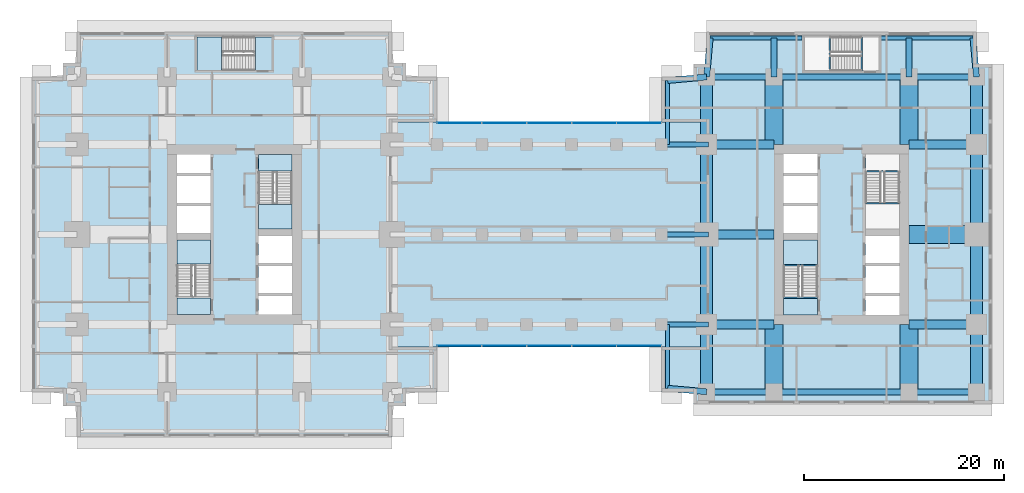
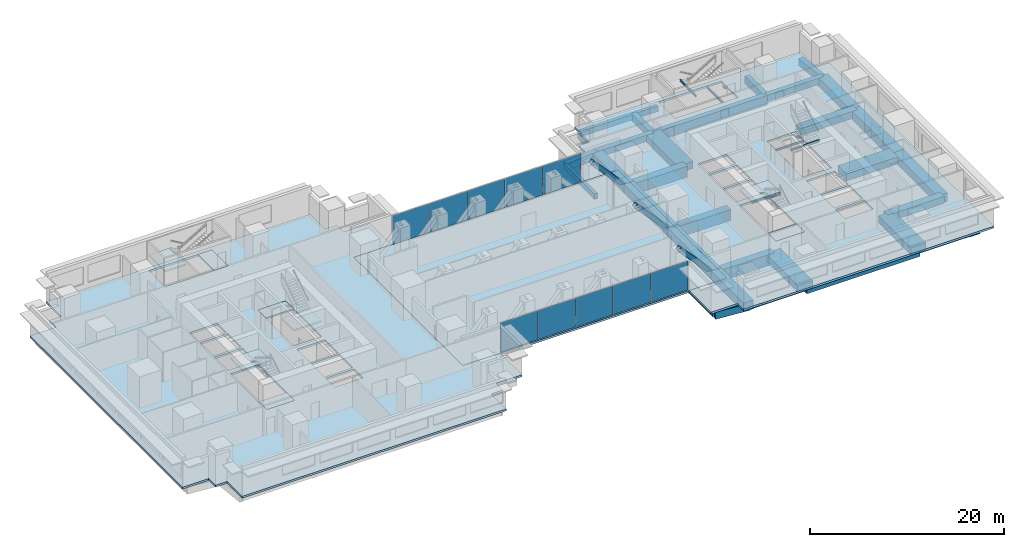
# One storey, part 5 of 15: 37 beams, 11 slabs, 10 plates, 6 members, 6 elements without a shape of their own.
"""IFC4 building model written with IfcOpenShell, lengths in metres."""

from ifc_helpers import new_model, si_unit, direction, frame, origin, origin_2d, place, context, subcontext, project, spatial, polyline, rectangle, hollow_rectangle, i_section, outline, extrude, material, layer, layer_set, material_profile, profile_set, type_object, element, aggregate, save


model = new_model("IFC4")

# Units and contexts
model_context = context("Model", 3, precision=1e-05, world=origin(), true_north=direction((0.0, 1.0)))
body_context = subcontext(model_context, "Body", "Model", "MODEL_VIEW")
ifc_project = project(units=[si_unit("LENGTHUNIT", "METRE"), si_unit("AREAUNIT", "SQUARE_METRE"), si_unit("VOLUMEUNIT", "CUBIC_METRE"), si_unit("PLANEANGLEUNIT", "RADIAN"), si_unit("MASSUNIT", "GRAM", prefix="KILO")], contexts=[model_context])

# Site, building, storey
site_placement = place(None, origin())
site = spatial("IfcSite", under=ifc_project, at=site_placement, CompositionType="ELEMENT")
building_placement = place(site_placement, origin())
building = spatial("IfcBuilding", under=site, at=building_placement, Name="Namib Vertical Campus", CompositionType="ELEMENT")
storey_placement = place(building_placement, frame((0.0, 0.0, 109.0)))
storey = spatial("IfcBuildingStorey", under=building, at=storey_placement, Name="L25", CompositionType="ELEMENT", Elevation=109.0)

# Members
ifc_material_1 = material(Name="Steel S355JR", Category="steel")
ifc_material_profile_1 = material_profile(ifc_material_1, hollow_rectangle(XDim=0.5, YDim=0.5, WallThickness=0.031982421875, at=origin_2d()))
ifc_profile_set_1 = profile_set([ifc_material_profile_1], Name="Steel S355JR")
member_type_1 = type_object("IfcMemberType", Name="Bridge end brace WB 500x500x32", PredefinedType="BRACE", material=ifc_profile_set_1)
for number, where, z_axis, x_axis, name in (
    (1, (67.5, 11.25, -0.949951171875), (-0.672676426978, 0.0, 0.739936770669), (0.0, -1.0, 0.0), "Bridge brace BX1 L25 T1 bay 7"),
    (2, (67.5, 20.25, -0.949951171875), (-0.672676426978, 0.0, 0.739936770669), (0.0, -1.0, 0.0), "Bridge brace BX1 L25 T2 bay 7"),
    (3, (67.5, 29.25, -0.949951171875), (-0.672676426978, 0.0, 0.739936770669), (0.0, -1.0, 0.0), "Bridge brace BX1 L25 T3 bay 7"),
):
    element("IfcMember", number, at=place(storey_placement, frame(where, z_axis=z_axis, x_axis=x_axis)), inside=storey, type_object=member_type_1, Name=name, PredefinedType="BRACE", context=body_context, shape_type="SweptSolid", body=[
        extrude(hollow_rectangle(XDim=0.5, YDim=0.5, WallThickness=0.031982421875, at=origin_2d()), origin(), (0.0, 0.0, 1.0), 6.689697265625),
    ])

# Beams
ifc_material_2 = material(Name="Concrete C40/50", Category="concrete")
ifc_material_profile_2 = material_profile(ifc_material_2, rectangle(XDim=0.60009765625, YDim=0.89990234375, at=origin_2d()))
ifc_profile_set_2 = profile_set([ifc_material_profile_2], Name="Concrete C40/50")
beam_type_1 = type_object("IfcBeamType", Name="Cantilever girder RC 600x900", PredefinedType="BEAM", material=ifc_profile_set_2)
beam_1_placement = place(storey_placement, frame((67.5, 36.0, -0.699951171875), z_axis=(0.089411326146, 0.995994786511, 0.0), x_axis=(-0.995994786511, 0.089411326146, 0.0)))
element("IfcBeam", 4, at=beam_1_placement, inside=storey, type_object=beam_type_1, Name="Beam B3 L25", PredefinedType="BEAM", context=body_context, shape_type="SweptSolid", body=[
    extrude(rectangle(XDim=0.60009765625, YDim=0.89990234375, at=origin_2d()), origin(), (0.0, 0.0, 1.0), 3.91552734375),
])
for number, where, z_axis, x_axis, name in (
    (5, (74.25, 36.0, -0.699951171875), (0.0, 1.0, 0.0), (-1.0, 0.0, 0.0), "Beam B3 L25"),
    (6, (87.75, 36.0, -0.699951171875), (0.0, 1.0, 0.0), (-1.0, 0.0, 0.0), "Beam B3 L25"),
):
    element("IfcBeam", number, at=place(storey_placement, frame(where, z_axis=z_axis, x_axis=x_axis)), inside=storey, type_object=beam_type_1, Name=name, PredefinedType="BEAM", context=body_context, shape_type="SweptSolid", body=[
        extrude(rectangle(XDim=0.60009765625, YDim=0.89990234375, at=origin_2d()), origin(), (0.0, 0.0, 1.0), 3.89990234375),
    ])
for number, where, z_axis, x_axis, name in (
    (7, (94.5, 36.0, -0.699951171875), (-0.089411326146, 0.995994786511, 0.0), (-0.995994786511, -0.089411326146, 0.0), "Beam B3 L25"),
    (8, (67.5, 4.5, -0.699951171875), (-0.995994786511, 0.089411326146, 0.0), (-0.089411326146, -0.995994786511, 0.0), "Beam B3 L25"),
    (9, (67.5, 36.0, -0.699951171875), (-0.995994786511, -0.089411326146, 0.0), (0.089411326146, -0.995994786511, 0.0), "Beam B3 L25"),
):
    element("IfcBeam", number, at=place(storey_placement, frame(where, z_axis=z_axis, x_axis=x_axis)), inside=storey, type_object=beam_type_1, Name=name, PredefinedType="BEAM", context=body_context, shape_type="SweptSolid", body=[
        extrude(rectangle(XDim=0.60009765625, YDim=0.89990234375, at=origin_2d()), origin(), (0.0, 0.0, 1.0), 3.91552734375),
    ])
ifc_material_3 = material(Name="Concrete C40/50", Category="concrete")
ifc_material_profile_3 = material_profile(ifc_material_3, rectangle(XDim=0.39990234375, YDim=0.699951171875, at=origin_2d()))
ifc_profile_set_3 = profile_set([ifc_material_profile_3], Name="Concrete C40/50")
beam_type_2 = type_object("IfcBeamType", Name="Edge beam RC 400x700", PredefinedType="SPANDREL", material=ifc_profile_set_3)
for number, where, z_axis, x_axis, name in (
    (10, (67.85009765625, 39.89990234375, -0.60009765625), (1.0, 0.0, 0.0), (0.0, 1.0, 0.0), "Beam B4 L25"),
    (11, (84.949951171875, 39.89990234375, -0.60009765625), (1.0, 0.0, 0.0), (0.0, 1.0, 0.0), "Beam B4 L25"),
):
    element("IfcBeam", number, at=place(storey_placement, frame(where, z_axis=z_axis, x_axis=x_axis)), inside=storey, type_object=beam_type_2, Name=name, PredefinedType="SPANDREL", context=body_context, shape_type="SweptSolid", body=[
        extrude(rectangle(XDim=0.39990234375, YDim=0.699951171875, at=origin_2d()), origin(), (0.0, 0.0, 1.0), 9.199951171875),
    ])
for number, where, z_axis, x_axis, name in (
    (12, (63.60009765625, 4.85009765625, -0.60009765625), (0.0, 1.0, 0.0), (-1.0, 0.0, 0.0), "Beam B4 L25"),
    (13, (63.60009765625, 29.25, -0.60009765625), (0.0, 1.0, 0.0), (-1.0, 0.0, 0.0), "Beam B4 L25"),
):
    element("IfcBeam", number, at=place(storey_placement, frame(where, z_axis=z_axis, x_axis=x_axis)), inside=storey, type_object=beam_type_2, Name=name, PredefinedType="SPANDREL", context=body_context, shape_type="SweptSolid", body=[
        extrude(rectangle(XDim=0.39990234375, YDim=0.699951171875, at=origin_2d()), origin(), (0.0, 0.0, 1.0), 6.39990234375),
    ])
ifc_material_4 = material(Name="Concrete C40/50", Category="concrete")
ifc_material_profile_4 = material_profile(ifc_material_4, rectangle(XDim=0.89990234375, YDim=0.89990234375, at=origin_2d()))
ifc_profile_set_4 = profile_set([ifc_material_profile_4], Name="Concrete C40/50")
beam_type_3 = type_object("IfcBeamType", Name="Face girder RC 900x900", PredefinedType="BEAM", material=ifc_profile_set_4)
for number, where, z_axis, x_axis, name in (
    (14, (94.5, 11.25, -0.699951171875), (-1.0, 0.0, 0.0), (0.0, -1.0, 0.0), "Beam B10 L25"),
    (15, (94.5, 29.25, -0.699951171875), (-1.0, 0.0, 0.0), (0.0, -1.0, 0.0), "Beam B10 L25"),
):
    element("IfcBeam", number, at=place(storey_placement, frame(where, z_axis=z_axis, x_axis=x_axis)), inside=storey, type_object=beam_type_3, Name=name, PredefinedType="BEAM", context=body_context, shape_type="SweptSolid", body=[
        extrude(rectangle(XDim=0.89990234375, YDim=0.89990234375, at=origin_2d()), origin(), (0.0, 0.0, 1.0), 6.75),
    ])
ifc_material_5 = material(Name="Concrete C40/50", Category="concrete")
ifc_material_profile_5 = material_profile(ifc_material_5, rectangle(XDim=1.199951171875, YDim=1.10009765625, at=origin_2d()))
ifc_profile_set_5 = profile_set([ifc_material_profile_5], Name="Concrete C40/50")
beam_type_4 = type_object("IfcBeamType", Name="Face ring beam RC 1200x1100", PredefinedType="BEAM", material=ifc_profile_set_5)
beam_2_placement = place(storey_placement, frame((67.5, 4.5, -0.800048828125), z_axis=(0.0, 1.0, 0.0), x_axis=(-1.0, 0.0, 0.0)))
element("IfcBeam", 16, at=beam_2_placement, inside=storey, type_object=beam_type_4, Name="Beam B11 L25", PredefinedType="BEAM", context=body_context, shape_type="SweptSolid", body=[
    extrude(rectangle(XDim=1.199951171875, YDim=1.10009765625, at=origin_2d()), origin(), (0.0, 0.0, 1.0), 6.75),
])
for number, where, z_axis, x_axis, name in (
    (17, (67.5, 11.25, -0.800048828125), (0.0, 1.0, 0.0), (-1.0, 0.0, 0.0), "Beam B11 L25"),
    (18, (67.5, 20.25, -0.800048828125), (0.0, 1.0, 0.0), (-1.0, 0.0, 0.0), "Beam B11 L25"),
):
    element("IfcBeam", number, at=place(storey_placement, frame(where, z_axis=z_axis, x_axis=x_axis)), inside=storey, type_object=beam_type_4, Name=name, PredefinedType="BEAM", context=body_context, shape_type="SweptSolid", body=[
        extrude(rectangle(XDim=1.199951171875, YDim=1.10009765625, at=origin_2d()), origin(), (0.0, 0.0, 1.0), 9.0),
    ])
for number, where, z_axis, x_axis, name in (
    (19, (67.5, 29.25, -0.800048828125), (0.0, 1.0, 0.0), (-1.0, 0.0, 0.0), "Beam B11 L25"),
    (20, (94.5, 4.5, -0.800048828125), (0.0, 1.0, 0.0), (-1.0, 0.0, 0.0), "Beam B11 L25"),
):
    element("IfcBeam", number, at=place(storey_placement, frame(where, z_axis=z_axis, x_axis=x_axis)), inside=storey, type_object=beam_type_4, Name=name, PredefinedType="BEAM", context=body_context, shape_type="SweptSolid", body=[
        extrude(rectangle(XDim=1.199951171875, YDim=1.10009765625, at=origin_2d()), origin(), (0.0, 0.0, 1.0), 6.75),
    ])
for number, where, z_axis, x_axis, name in (
    (21, (94.5, 11.25, -0.800048828125), (0.0, 1.0, 0.0), (-1.0, 0.0, 0.0), "Beam B11 L25"),
    (22, (94.5, 20.25, -0.800048828125), (0.0, 1.0, 0.0), (-1.0, 0.0, 0.0), "Beam B11 L25"),
):
    element("IfcBeam", number, at=place(storey_placement, frame(where, z_axis=z_axis, x_axis=x_axis)), inside=storey, type_object=beam_type_4, Name=name, PredefinedType="BEAM", context=body_context, shape_type="SweptSolid", body=[
        extrude(rectangle(XDim=1.199951171875, YDim=1.10009765625, at=origin_2d()), origin(), (0.0, 0.0, 1.0), 9.0),
    ])
beam_3_placement = place(storey_placement, frame((94.5, 29.25, -0.800048828125), z_axis=(0.0, 1.0, 0.0), x_axis=(-1.0, 0.0, 0.0)))
element("IfcBeam", 23, at=beam_3_placement, inside=storey, type_object=beam_type_4, Name="Beam B11 L25", PredefinedType="BEAM", context=body_context, shape_type="SweptSolid", body=[
    extrude(rectangle(XDim=1.199951171875, YDim=1.10009765625, at=origin_2d()), origin(), (0.0, 0.0, 1.0), 6.75),
])
ifc_material_6 = material(Name="Steel S355JR", Category="steel")
ifc_material_profile_6 = material_profile(ifc_material_6, i_section(OverallWidth=0.14599609375, OverallDepth=0.25146484375, WebThickness=0.006103515625, FlangeThickness=0.008544921875, FilletRadius=0.007568359375, at=origin_2d()))
ifc_profile_set_6 = profile_set([ifc_material_profile_6], Name="Steel S355JR")
beam_type_5 = type_object("IfcBeamType", Name="Landing trimmer UB 254x146x31", PredefinedType="BEAM", material=ifc_profile_set_6)
for number, where, z_axis, x_axis, name in (
    (24, (75.199951171875, 13.927001953125, -0.125732421875), (1.0, 0.0, 0.0), (0.0, 1.0, 0.0), "Landing trimmer LT1 B-S1 L25 1"),
    (25, (75.199951171875, 17.153076171875, 1.874267578125), (1.0, 0.0, 0.0), (0.0, 1.0, 0.0), "Landing trimmer LT1 B-S1 L25 2"),
    (26, (83.39990234375, 26.572998046875, -0.125732421875), (1.0, 0.0, 0.0), (0.0, 1.0, 0.0), "Landing trimmer LT1 B-S2 L25 1"),
    (27, (83.39990234375, 23.346923828125, 1.874267578125), (1.0, 0.0, 0.0), (0.0, 1.0, 0.0), "Landing trimmer LT1 B-S2 L25 2"),
):
    element("IfcBeam", number, at=place(storey_placement, frame(where, z_axis=z_axis, x_axis=x_axis)), inside=storey, type_object=beam_type_5, Name=name, PredefinedType="BEAM", context=body_context, shape_type="SweptSolid", body=[
        extrude(i_section(OverallWidth=0.14599609375, OverallDepth=0.25146484375, WebThickness=0.006103515625, FlangeThickness=0.008544921875, FilletRadius=0.007568359375, at=origin_2d()), origin(), (0.0, 0.0, 1.0), 3.400146484375),
    ])
for number, where, z_axis, x_axis, name in (
    (28, (83.02294921875, 36.60009765625, -0.125732421875), (0.0, 1.0, 0.0), (-1.0, 0.0, 0.0), "Landing trimmer LT1 B-S3 L25 1"),
    (29, (79.796875, 36.60009765625, 1.874267578125), (0.0, 1.0, 0.0), (-1.0, 0.0, 0.0), "Landing trimmer LT1 B-S3 L25 2"),
):
    element("IfcBeam", number, at=place(storey_placement, frame(where, z_axis=z_axis, x_axis=x_axis)), inside=storey, type_object=beam_type_5, Name=name, PredefinedType="BEAM", context=body_context, shape_type="SweptSolid", body=[
        extrude(i_section(OverallWidth=0.14599609375, OverallDepth=0.25146484375, WebThickness=0.006103515625, FlangeThickness=0.008544921875, FilletRadius=0.007568359375, at=origin_2d()), origin(), (0.0, 0.0, 1.0), 3.39990234375),
    ])
ifc_material_7 = material(Name="Concrete C40/50", Category="concrete")
ifc_material_profile_7 = material_profile(ifc_material_7, rectangle(XDim=0.60009765625, YDim=1.199951171875, at=origin_2d()))
ifc_profile_set_7 = profile_set([ifc_material_profile_7], Name="Concrete C40/50")
beam_type_6 = type_object("IfcBeamType", Name="Long-span ring beam RC 600x1200", PredefinedType="BEAM", material=ifc_profile_set_7)
for number, where, z_axis, x_axis, name in (
    (30, (74.25, 4.5, -0.85009765625), (1.0, 0.0, 0.0), (0.0, 1.0, 0.0), "Beam B9 L25"),
    (31, (74.25, 36.0, -0.85009765625), (1.0, 0.0, 0.0), (0.0, 1.0, 0.0), "Beam B9 L25"),
):
    element("IfcBeam", number, at=place(storey_placement, frame(where, z_axis=z_axis, x_axis=x_axis)), inside=storey, type_object=beam_type_6, Name=name, PredefinedType="BEAM", context=body_context, shape_type="SweptSolid", body=[
        extrude(rectangle(XDim=0.60009765625, YDim=1.199951171875, at=origin_2d()), origin(), (0.0, 0.0, 1.0), 13.5),
    ])
ifc_material_8 = material(Name="Concrete C40/50", Category="concrete")
ifc_material_profile_8 = material_profile(ifc_material_8, rectangle(XDim=1.800048828125, YDim=0.89990234375, at=origin_2d()))
ifc_profile_set_8 = profile_set([ifc_material_profile_8], Name="Concrete C40/50")
beam_type_7 = type_object("IfcBeamType", Name="Outrigger line girder RC 1800x900", PredefinedType="BEAM", material=ifc_profile_set_8)
for number, where, z_axis, x_axis, name in (
    (32, (74.25, 4.5, -0.699951171875), (0.0, 1.0, 0.0), (-1.0, 0.0, 0.0), "Beam B12 L25"),
    (33, (74.25, 36.0, -0.699951171875), (0.0, -1.0, 0.0), (1.0, 0.0, 0.0), "Beam B12 L25"),
    (34, (87.75, 4.5, -0.699951171875), (0.0, 1.0, 0.0), (-1.0, 0.0, 0.0), "Beam B12 L25"),
    (35, (87.75, 36.0, -0.699951171875), (0.0, -1.0, 0.0), (1.0, 0.0, 0.0), "Beam B12 L25"),
    (36, (94.5, 20.25, -0.699951171875), (-1.0, 0.0, 0.0), (0.0, -1.0, 0.0), "Beam B12 L25"),
):
    element("IfcBeam", number, at=place(storey_placement, frame(where, z_axis=z_axis, x_axis=x_axis)), inside=storey, type_object=beam_type_7, Name=name, PredefinedType="BEAM", context=body_context, shape_type="SweptSolid", body=[
        extrude(rectangle(XDim=1.800048828125, YDim=0.89990234375, at=origin_2d()), origin(), (0.0, 0.0, 1.0), 6.75),
    ])
ifc_material_9 = material(Name="Concrete C40/50", Category="concrete")
ifc_material_profile_9 = material_profile(ifc_material_9, rectangle(XDim=0.60009765625, YDim=0.800048828125, at=origin_2d()))
ifc_profile_set_9 = profile_set([ifc_material_profile_9], Name="Concrete C40/50")
beam_type_8 = type_object("IfcBeamType", Name="Ring beam RC 600x800", PredefinedType="BEAM", material=ifc_profile_set_9)
for number, where, z_axis, x_axis, name in (
    (37, (67.5, 4.5, -0.64990234375), (1.0, 0.0, 0.0), (0.0, 1.0, 0.0), "Beam B1 L25"),
    (38, (87.75, 4.5, -0.64990234375), (1.0, 0.0, 0.0), (0.0, 1.0, 0.0), "Beam B1 L25"),
    (39, (67.5, 36.0, -0.64990234375), (1.0, 0.0, 0.0), (0.0, 1.0, 0.0), "Beam B1 L25"),
    (40, (87.75, 36.0, -0.64990234375), (1.0, 0.0, 0.0), (0.0, 1.0, 0.0), "Beam B1 L25"),
):
    element("IfcBeam", number, at=place(storey_placement, frame(where, z_axis=z_axis, x_axis=x_axis)), inside=storey, type_object=beam_type_8, Name=name, PredefinedType="BEAM", context=body_context, shape_type="SweptSolid", body=[
        extrude(rectangle(XDim=0.60009765625, YDim=0.800048828125, at=origin_2d()), origin(), (0.0, 0.0, 1.0), 6.75),
    ])

# Members
ifc_material_10 = material(Name="Steel S355JR", Category="steel")
ifc_material_profile_10 = material_profile(ifc_material_10, hollow_rectangle(XDim=0.89990234375, YDim=1.39990234375, WallThickness=0.070068359375, at=origin_2d()))
ifc_profile_set_10 = profile_set([ifc_material_profile_10], Name="Steel S355JR")
member_type_2 = type_object("IfcMemberType", Name="Truss chord WB 1400x900x70", PredefinedType="CHORD", material=ifc_profile_set_10)
for number, where, z_axis, x_axis, name in (
    (41, (67.5, 11.25, -0.949951171875), (1.0, 0.0, 0.0), (0.0, 1.0, 0.0), "Transfer truss T1 anchor chord B top"),
    (42, (67.5, 20.25, -0.949951171875), (1.0, 0.0, 0.0), (0.0, 1.0, 0.0), "Transfer truss T2 anchor chord B top"),
    (43, (67.5, 29.25, -0.949951171875), (1.0, 0.0, 0.0), (0.0, 1.0, 0.0), "Transfer truss T3 anchor chord B top"),
):
    element("IfcMember", number, at=place(storey_placement, frame(where, z_axis=z_axis, x_axis=x_axis)), inside=storey, type_object=member_type_2, Name=name, PredefinedType="CHORD", context=body_context, shape_type="SweptSolid", body=[
        extrude(hollow_rectangle(XDim=0.89990234375, YDim=1.39990234375, WallThickness=0.070068359375, at=origin_2d()), origin(), (0.0, 0.0, 1.0), 6.75),
    ])

# Curtain wall, plates
ifc_material_11 = material(Name="Black aluminium curtain wall", Category="aluminium")
ifc_layer_1 = layer(ifc_material_11, 0.199951171875)
ifc_layer_set_1 = layer_set([ifc_layer_1], Name="Bridge curtain wall CW-BR")
curtain_wall_type = type_object("IfcCurtainWallType", Name="Bridge curtain wall CW-BR", PredefinedType="USERDEFINED", material=ifc_layer_set_1)
curtain_wall_1_placement = place(storey_placement, origin())
curtain_wall_1 = element("IfcCurtainWall", 44, at=curtain_wall_1_placement, inside=storey, type_object=curtain_wall_type, Name="Curtain wall CW-BR L25 S", ObjectType="CURTAIN WALL", PredefinedType="USERDEFINED")
ifc_material_12 = material(Name="Dark tinted glass", Category="glass")
ifc_layer_2 = layer(ifc_material_12, 0.028076171875)
ifc_layer_set_2 = layer_set([ifc_layer_2], Name="Dark solar glass panel 28")
plate_type = type_object("IfcPlateType", Name="Dark solar glass panel 28", PredefinedType="CURTAIN_PANEL", material=ifc_layer_set_2)
plate_1_placement = place(storey_placement, frame((42.764892578125, 9.10009765625, 0.06005859375), z_axis=(0.0, 0.0, 1.0), x_axis=(1.0, 0.0, 0.0)))
plate_1 = element("IfcPlate", 45, at=plate_1_placement, type_object=plate_type, Name="CW-BR panel 1.1", PredefinedType="CURTAIN_PANEL", context=body_context, shape_type="SweptSolid", body=[
    extrude(rectangle(XDim=4.409912109375, YDim=0.028076171875, at=origin_2d()), origin(), (0.0, 0.0, 1.0), 3.6298828125),
])
plate_2_placement = place(storey_placement, frame((47.25, 9.10009765625, 0.06005859375), z_axis=(0.0, 0.0, 1.0), x_axis=(1.0, 0.0, 0.0)))
plate_2 = element("IfcPlate", 46, at=plate_2_placement, type_object=plate_type, Name="CW-BR panel 2.1", PredefinedType="CURTAIN_PANEL", context=body_context, shape_type="SweptSolid", body=[
    extrude(rectangle(XDim=4.43994140625, YDim=0.028076171875, at=origin_2d()), origin(), (0.0, 0.0, 1.0), 3.6298828125),
])
plate_3_placement = place(storey_placement, frame((51.75, 9.10009765625, 0.06005859375), z_axis=(0.0, 0.0, 1.0), x_axis=(1.0, 0.0, 0.0)))
plate_3 = element("IfcPlate", 47, at=plate_3_placement, type_object=plate_type, Name="CW-BR panel 3.1", PredefinedType="CURTAIN_PANEL", context=body_context, shape_type="SweptSolid", body=[
    extrude(rectangle(XDim=4.43994140625, YDim=0.028076171875, at=origin_2d()), origin(), (0.0, 0.0, 1.0), 3.6298828125),
])
plate_4_placement = place(storey_placement, frame((56.25, 9.10009765625, 0.06005859375), z_axis=(0.0, 0.0, 1.0), x_axis=(1.0, 0.0, 0.0)))
plate_4 = element("IfcPlate", 48, at=plate_4_placement, type_object=plate_type, Name="CW-BR panel 4.1", PredefinedType="CURTAIN_PANEL", context=body_context, shape_type="SweptSolid", body=[
    extrude(rectangle(XDim=4.43994140625, YDim=0.028076171875, at=origin_2d()), origin(), (0.0, 0.0, 1.0), 3.6298828125),
])
plate_5_placement = place(storey_placement, frame((60.735107421875, 9.10009765625, 0.06005859375), z_axis=(0.0, 0.0, 1.0), x_axis=(1.0, 0.0, 0.0)))
plate_5 = element("IfcPlate", 49, at=plate_5_placement, type_object=plate_type, Name="CW-BR panel 5.1", PredefinedType="CURTAIN_PANEL", context=body_context, shape_type="SweptSolid", body=[
    extrude(rectangle(XDim=4.409912109375, YDim=0.028076171875, at=origin_2d()), origin(), (0.0, 0.0, 1.0), 3.6298828125),
])
aggregate(curtain_wall_1, [plate_1, plate_2, plate_3, plate_4, plate_5])

curtain_wall_2_placement = place(storey_placement, origin())
curtain_wall_2 = element("IfcCurtainWall", 50, at=curtain_wall_2_placement, inside=storey, type_object=curtain_wall_type, Name="Curtain wall CW-BR L25 N", ObjectType="CURTAIN WALL", PredefinedType="USERDEFINED")
plate_6_placement = place(storey_placement, frame((60.735107421875, 31.39990234375, 0.06005859375), z_axis=(0.0, 0.0, 1.0), x_axis=(-1.0, 0.0, 0.0)))
plate_6 = element("IfcPlate", 51, at=plate_6_placement, type_object=plate_type, Name="CW-BR panel 1.1", PredefinedType="CURTAIN_PANEL", context=body_context, shape_type="SweptSolid", body=[
    extrude(rectangle(XDim=4.409912109375, YDim=0.028076171875, at=origin_2d()), origin(), (0.0, 0.0, 1.0), 3.6298828125),
])
plate_7_placement = place(storey_placement, frame((56.25, 31.39990234375, 0.06005859375), z_axis=(0.0, 0.0, 1.0), x_axis=(-1.0, 0.0, 0.0)))
plate_7 = element("IfcPlate", 52, at=plate_7_placement, type_object=plate_type, Name="CW-BR panel 2.1", PredefinedType="CURTAIN_PANEL", context=body_context, shape_type="SweptSolid", body=[
    extrude(rectangle(XDim=4.43994140625, YDim=0.028076171875, at=origin_2d()), origin(), (0.0, 0.0, 1.0), 3.6298828125),
])
plate_8_placement = place(storey_placement, frame((51.75, 31.39990234375, 0.06005859375), z_axis=(0.0, 0.0, 1.0), x_axis=(-1.0, 0.0, 0.0)))
plate_8 = element("IfcPlate", 53, at=plate_8_placement, type_object=plate_type, Name="CW-BR panel 3.1", PredefinedType="CURTAIN_PANEL", context=body_context, shape_type="SweptSolid", body=[
    extrude(rectangle(XDim=4.43994140625, YDim=0.028076171875, at=origin_2d()), origin(), (0.0, 0.0, 1.0), 3.6298828125),
])
plate_9_placement = place(storey_placement, frame((47.25, 31.39990234375, 0.06005859375), z_axis=(0.0, 0.0, 1.0), x_axis=(-1.0, 0.0, 0.0)))
plate_9 = element("IfcPlate", 54, at=plate_9_placement, type_object=plate_type, Name="CW-BR panel 4.1", PredefinedType="CURTAIN_PANEL", context=body_context, shape_type="SweptSolid", body=[
    extrude(rectangle(XDim=4.43994140625, YDim=0.028076171875, at=origin_2d()), origin(), (0.0, 0.0, 1.0), 3.6298828125),
])
plate_10_placement = place(storey_placement, frame((42.764892578125, 31.39990234375, 0.06005859375), z_axis=(0.0, 0.0, 1.0), x_axis=(-1.0, 0.0, 0.0)))
plate_10 = element("IfcPlate", 55, at=plate_10_placement, type_object=plate_type, Name="CW-BR panel 5.1", PredefinedType="CURTAIN_PANEL", context=body_context, shape_type="SweptSolid", body=[
    extrude(rectangle(XDim=4.409912109375, YDim=0.028076171875, at=origin_2d()), origin(), (0.0, 0.0, 1.0), 3.6298828125),
])
aggregate(curtain_wall_2, [plate_6, plate_7, plate_8, plate_9, plate_10])

# Slabs
ifc_material_13 = material(Name="Concrete C40/50", Category="concrete")
ifc_layer_3 = layer(ifc_material_13, 0.25)
ifc_layer_set_3 = layer_set([ifc_layer_3], Name="Concrete C40/50")
slab_type_1 = type_object("IfcSlabType", Name="Floor slab 250", PredefinedType="FLOOR", material=ifc_layer_set_3)
slab_1_placement = place(storey_placement, frame((0.0, 0.0, -0.25)))
element("IfcSlab", 56, at=slab_1_placement, inside=storey, type_object=slab_type_1, Name="Floor slab A L25", PredefinedType="FLOOR", context=body_context, shape_type="SweptSolid", body=[
    extrude(outline(polyline([(4.5, 3.10009765625), (4.5, 0.0), (36.0, 0.0), (36.0, 3.10009765625), (37.39990234375, 3.10009765625), (37.39990234375, 4.5), (40.5, 4.5), (40.5, 9.0), (36.0, 9.0), (36.0, 31.5), (40.5, 31.5), (40.5, 36.0), (37.39990234375, 36.0), (37.39990234375, 37.39990234375), (36.0, 37.39990234375), (36.0, 40.5), (4.5, 40.5), (4.5, 37.39990234375), (3.10009765625, 37.39990234375), (3.10009765625, 36.0), (0.0, 36.0), (0.0, 4.5), (3.10009765625, 4.5), (3.10009765625, 3.10009765625), (4.5, 3.10009765625)]), holes=[polyline([(14.5, 12.25), (17.85009765625, 12.25), (17.85009765625, 19.699951171875), (14.5, 19.699951171875), (14.5, 12.25)]), polyline([(22.64990234375, 20.800048828125), (26.0, 20.800048828125), (26.0, 28.25), (22.64990234375, 28.25), (22.64990234375, 20.800048828125)]), polyline([(22.64990234375, 12.25), (26.0, 12.25), (26.0, 14.10009765625), (22.64990234375, 14.10009765625), (22.64990234375, 12.25)]), polyline([(14.5, 20.39990234375), (17.85009765625, 20.39990234375), (17.85009765625, 23.10009765625), (14.5, 23.10009765625), (14.5, 20.39990234375)]), polyline([(14.5, 23.39990234375), (17.85009765625, 23.39990234375), (17.85009765625, 26.10009765625), (14.5, 26.10009765625), (14.5, 23.39990234375)]), polyline([(14.5, 26.39990234375), (17.85009765625, 26.39990234375), (17.85009765625, 28.25), (14.5, 28.25), (14.5, 26.39990234375)]), polyline([(22.64990234375, 14.39990234375), (26.0, 14.39990234375), (26.0, 17.10009765625), (22.64990234375, 17.10009765625), (22.64990234375, 14.39990234375)]), polyline([(22.64990234375, 17.39990234375), (26.0, 17.39990234375), (26.0, 20.10009765625), (22.64990234375, 20.10009765625), (22.64990234375, 17.39990234375)]), polyline([(16.5, 36.64990234375), (24.0, 36.64990234375), (24.0, 40.0), (16.5, 40.0), (16.5, 36.64990234375)])]), origin(), (0.0, 0.0, 1.0), 0.25),
])
slab_2_placement = place(storey_placement, frame((0.0, 0.0, -0.25)))
element("IfcSlab", 57, at=slab_2_placement, inside=storey, type_object=slab_type_1, Name="Floor slab B L25", PredefinedType="FLOOR", context=body_context, shape_type="SweptSolid", body=[
    extrude(outline(polyline([(63.0, 9.0), (63.0, 4.5), (66.199951171875, 4.5), (66.199951171875, 3.300048828125), (96.050048828125, 3.300048828125), (96.050048828125, 37.300048828125), (94.5, 37.300048828125), (94.5, 40.5), (67.5, 40.5), (67.5, 37.300048828125), (66.199951171875, 37.300048828125), (66.199951171875, 36.0), (63.0, 36.0), (63.0, 31.5), (67.5, 31.5), (67.5, 9.0), (63.0, 9.0)]), holes=[polyline([(75.199951171875, 12.199951171875), (78.60009765625, 12.199951171875), (78.60009765625, 19.699951171875), (75.199951171875, 19.699951171875), (75.199951171875, 12.199951171875)]), polyline([(83.39990234375, 20.800048828125), (86.800048828125, 20.800048828125), (86.800048828125, 28.300048828125), (83.39990234375, 28.300048828125), (83.39990234375, 20.800048828125)]), polyline([(83.39990234375, 12.199951171875), (86.800048828125, 12.199951171875), (86.800048828125, 14.10009765625), (83.39990234375, 14.10009765625), (83.39990234375, 12.199951171875)]), polyline([(75.199951171875, 20.39990234375), (78.60009765625, 20.39990234375), (78.60009765625, 23.10009765625), (75.199951171875, 23.10009765625), (75.199951171875, 20.39990234375)]), polyline([(75.199951171875, 23.39990234375), (78.60009765625, 23.39990234375), (78.60009765625, 26.10009765625), (75.199951171875, 26.10009765625), (75.199951171875, 23.39990234375)]), polyline([(75.199951171875, 26.39990234375), (78.60009765625, 26.39990234375), (78.60009765625, 28.300048828125), (75.199951171875, 28.300048828125), (75.199951171875, 26.39990234375)]), polyline([(83.39990234375, 14.39990234375), (86.800048828125, 14.39990234375), (86.800048828125, 17.10009765625), (83.39990234375, 17.10009765625), (83.39990234375, 14.39990234375)]), polyline([(83.39990234375, 17.39990234375), (86.800048828125, 17.39990234375), (86.800048828125, 20.10009765625), (83.39990234375, 20.10009765625), (83.39990234375, 17.39990234375)]), polyline([(77.25, 36.60009765625), (84.75, 36.60009765625), (84.75, 40.0), (77.25, 40.0), (77.25, 36.60009765625)])]), origin(), (0.0, 0.0, 1.0), 0.25),
])
slab_3_placement = place(storey_placement, frame((0.0, 0.0, -0.25)))
element("IfcSlab", 58, at=slab_3_placement, inside=storey, type_object=slab_type_1, Name="Bridge floor L25", PredefinedType="FLOOR", context=body_context, shape_type="SweptSolid", body=[
    extrude(outline(polyline([(36.0, 9.0), (67.5, 9.0), (67.5, 31.5), (36.0, 31.5), (36.0, 9.0)])), origin(), (0.0, 0.0, 1.0), 0.25),
])

# Stair, slabs
ifc_material_14 = material(Name="Concrete C40/50 precast", Category="concrete")
stair_type_1 = type_object("IfcStairType", Name="Exit stair 4000 rise 24 risers 3350 wide", PredefinedType="HALF_TURN_STAIR", material=ifc_material_14)
stair_1_placement = place(storey_placement, origin())
stair_1 = element("IfcStair", 59, at=stair_1_placement, inside=storey, type_object=stair_type_1, Name="Exit stair A-S1 L25", PredefinedType="HALF_TURN_STAIR")
ifc_material_15 = material(Name="Concrete C40/50", Category="concrete")
ifc_layer_4 = layer(ifc_material_15, 0.199951171875)
ifc_layer_set_4 = layer_set([ifc_layer_4], Name="Concrete C40/50")
slab_type_2 = type_object("IfcSlabType", Name="Stair landing 200", PredefinedType="LANDING", material=ifc_layer_set_4)
slab_4_placement = place(storey_placement, frame((0.0, 0.0, -0.199951171875)))
slab_4 = element("IfcSlab", 60, at=slab_4_placement, type_object=slab_type_2, Name="A-S1 landing 1", PredefinedType="LANDING", context=body_context, shape_type="SweptSolid", body=[
    extrude(outline(polyline([(14.5, 12.25), (17.85009765625, 12.25), (17.85009765625, 13.90380859375), (14.5, 13.90380859375), (14.5, 12.25)])), origin(), (0.0, 0.0, 1.0), 0.199951171875),
])
slab_5_placement = place(storey_placement, frame((0.0, 0.0, 1.800048828125)))
slab_5 = element("IfcSlab", 61, at=slab_5_placement, type_object=slab_type_2, Name="A-S1 landing 2", PredefinedType="LANDING", context=body_context, shape_type="SweptSolid", body=[
    extrude(outline(polyline([(14.5, 17.276123046875), (17.85009765625, 17.276123046875), (17.85009765625, 19.699951171875), (14.5, 19.699951171875), (14.5, 17.276123046875)])), origin(), (0.0, 0.0, 1.0), 0.199951171875),
])
aggregate(stair_1, [slab_4, slab_5])

stair_2_placement = place(storey_placement, origin())
stair_2 = element("IfcStair", 62, at=stair_2_placement, inside=storey, type_object=stair_type_1, Name="Exit stair A-S2 L25", PredefinedType="HALF_TURN_STAIR")
slab_6_placement = place(storey_placement, frame((0.0, 0.0, -0.199951171875)))
slab_6 = element("IfcSlab", 63, at=slab_6_placement, type_object=slab_type_2, Name="A-S2 landing 1", PredefinedType="LANDING", context=body_context, shape_type="SweptSolid", body=[
    extrude(outline(polyline([(22.64990234375, 26.59619140625), (26.0, 26.59619140625), (26.0, 28.25), (22.64990234375, 28.25), (22.64990234375, 26.59619140625)])), origin(), (0.0, 0.0, 1.0), 0.199951171875),
])
slab_7_placement = place(storey_placement, frame((0.0, 0.0, 1.800048828125)))
slab_7 = element("IfcSlab", 64, at=slab_7_placement, type_object=slab_type_2, Name="A-S2 landing 2", PredefinedType="LANDING", context=body_context, shape_type="SweptSolid", body=[
    extrude(outline(polyline([(22.64990234375, 20.800048828125), (26.0, 20.800048828125), (26.0, 23.223876953125), (22.64990234375, 23.223876953125), (22.64990234375, 20.800048828125)])), origin(), (0.0, 0.0, 1.0), 0.199951171875),
])
aggregate(stair_2, [slab_6, slab_7])

ifc_material_16 = material(Name="Concrete C40/50 precast", Category="concrete")
stair_type_2 = type_object("IfcStairType", Name="Exit stair 4000 rise 24 risers 3400 wide", PredefinedType="HALF_TURN_STAIR", material=ifc_material_16)
stair_3_placement = place(storey_placement, origin())
stair_3 = element("IfcStair", 65, at=stair_3_placement, inside=storey, type_object=stair_type_2, Name="Exit stair B-S1 L25", PredefinedType="HALF_TURN_STAIR")
slab_8_placement = place(storey_placement, frame((0.0, 0.0, -0.199951171875)))
slab_8 = element("IfcSlab", 66, at=slab_8_placement, type_object=slab_type_2, Name="B-S1 landing 1", PredefinedType="LANDING", context=body_context, shape_type="SweptSolid", body=[
    extrude(outline(polyline([(75.199951171875, 12.199951171875), (78.60009765625, 12.199951171875), (78.60009765625, 13.85400390625), (75.199951171875, 13.85400390625), (75.199951171875, 12.199951171875)])), origin(), (0.0, 0.0, 1.0), 0.199951171875),
])
slab_9_placement = place(storey_placement, frame((0.0, 0.0, 1.800048828125)))
slab_9 = element("IfcSlab", 67, at=slab_9_placement, type_object=slab_type_2, Name="B-S1 landing 2", PredefinedType="LANDING", context=body_context, shape_type="SweptSolid", body=[
    extrude(outline(polyline([(75.199951171875, 17.22607421875), (78.60009765625, 17.22607421875), (78.60009765625, 19.699951171875), (75.199951171875, 19.699951171875), (75.199951171875, 17.22607421875)])), origin(), (0.0, 0.0, 1.0), 0.199951171875),
])
aggregate(stair_3, [slab_8, slab_9])

stair_4_placement = place(storey_placement, origin())
stair_4 = element("IfcStair", 68, at=stair_4_placement, inside=storey, type_object=stair_type_1, Name="Exit stair A-S3 L25", PredefinedType="HALF_TURN_STAIR")
slab_10_placement = place(storey_placement, frame((0.0, 0.0, -0.199951171875)))
slab_10 = element("IfcSlab", 69, at=slab_10_placement, type_object=slab_type_2, Name="A-S3 landing 1", PredefinedType="LANDING", context=body_context, shape_type="SweptSolid", body=[
    extrude(outline(polyline([(22.34619140625, 36.64990234375), (22.34619140625, 40.0), (24.0, 40.0), (24.0, 36.64990234375), (22.34619140625, 36.64990234375)])), origin(), (0.0, 0.0, 1.0), 0.199951171875),
])
slab_11_placement = place(storey_placement, frame((0.0, 0.0, 1.800048828125)))
slab_11 = element("IfcSlab", 70, at=slab_11_placement, type_object=slab_type_2, Name="A-S3 landing 2", PredefinedType="LANDING", context=body_context, shape_type="SweptSolid", body=[
    extrude(outline(polyline([(16.5, 36.64990234375), (16.5, 40.0), (18.973876953125, 40.0), (18.973876953125, 36.64990234375), (16.5, 36.64990234375)])), origin(), (0.0, 0.0, 1.0), 0.199951171875),
])
aggregate(stair_4, [slab_10, slab_11])

save(model, "model.ifc")
